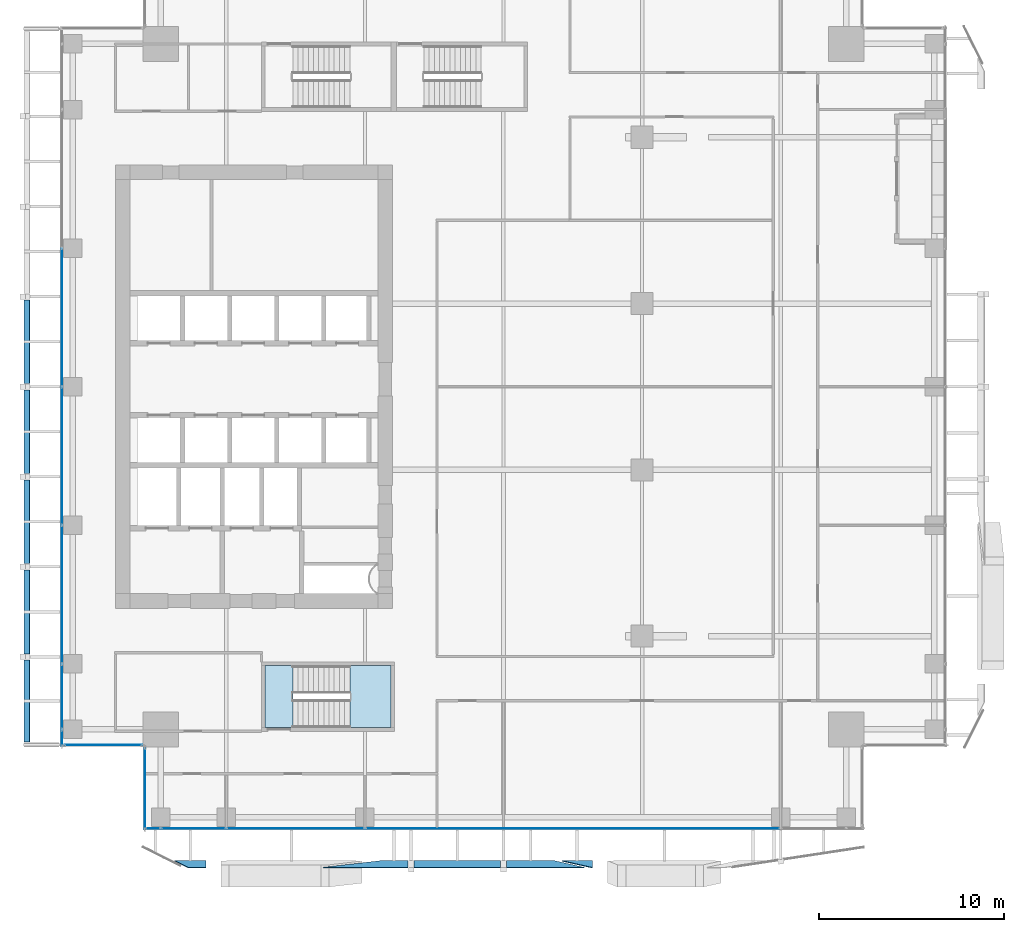
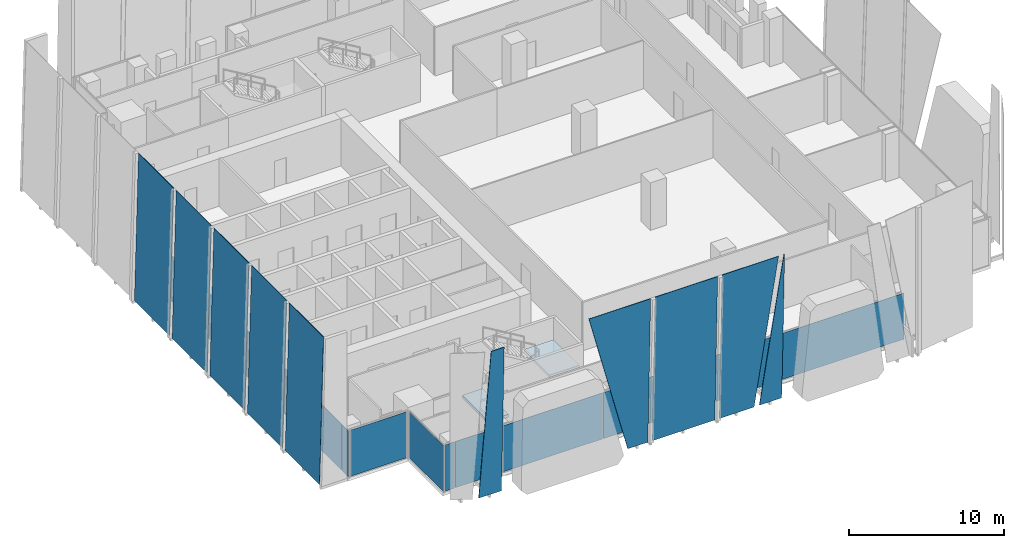
# One storey, part 23 of 35: 21 plates, 2 slabs, 5 elements without a shape of their own.
"""IFC4 building model written with IfcOpenShell, lengths in metres."""

from ifc_helpers import new_model, si_unit, direction, frame, origin, origin_2d, place, context, subcontext, project, spatial, polyline, rectangle, outline, extrude, source, transform, mapped, material, layer, layer_set, type_object, element, aggregate, save


model = new_model("IFC4")

# Units and contexts
model_context = context("Model", 3, precision=1e-05, world=origin(), true_north=direction((0.0, 1.0)))
body_context = subcontext(model_context, "Body", "Model", "MODEL_VIEW")
ifc_project = project(units=[si_unit("LENGTHUNIT", "METRE"), si_unit("AREAUNIT", "SQUARE_METRE"), si_unit("VOLUMEUNIT", "CUBIC_METRE"), si_unit("PLANEANGLEUNIT", "RADIAN"), si_unit("MASSUNIT", "GRAM", prefix="KILO")], contexts=[model_context])

# Site, building, storey
site_placement = place(None, origin())
site = spatial("IfcSite", under=ifc_project, at=site_placement, CompositionType="ELEMENT")
building_placement = place(site_placement, origin())
building = spatial("IfcBuilding", under=site, at=building_placement, Name="Khomas Fold Tower", CompositionType="ELEMENT")
storey_placement = place(building_placement, frame((0.0, 0.0, 188.699951171875)))
storey = spatial("IfcBuildingStorey", under=building, at=storey_placement, Name="L41", CompositionType="ELEMENT", Elevation=188.699951171875)

# Plates
ifc_material_1 = material(Name="Clear laminated glass", Category="glass")
ifc_layer_1 = layer(ifc_material_1, 0.0400390625)
ifc_layer_set_1 = layer_set([ifc_layer_1], Name="Clear laminated glass")
plate_type_1 = type_object("IfcPlateType", Name="SK-Clear laminated glass leaf", PredefinedType="SHEET", material=ifc_layer_set_1)
plate_1_placement = place(storey_placement, frame((10.89990234375, 1.3486328125, 0.0), z_axis=(0.0, 0.999510363794, 0.031289497744), x_axis=(-1.0, 0.0, 0.0)))
element("IfcPlate", 1, at=plate_1_placement, inside=storey, type_object=plate_type_1, Name="OUTER SKIN glass L41 SG099-1", PredefinedType="SHEET", context=body_context, shape_type="SweptSolid", body=[
    extrude(outline(polyline([(0.0, 0.0), (1.697021484375, 0.0), (0.973876953125, 11.555706920623287), (0.0, 11.555706920623287), (0.0, 0.0)])), origin(), (0.0, 0.0, -1.0), 0.0400390625),
])
plate_2_placement = place(storey_placement, frame((31.79931640625, 1.3486328125, 0.0), z_axis=(-7.0175601e-05, 0.999510355487, 0.031289684386), x_axis=(-0.999999997538, -7.014124e-05, -2.195772e-06)))
element("IfcPlate", 2, at=plate_2_placement, inside=storey, type_object=plate_type_1, Name="OUTER SKIN glass L41 SG103-3", PredefinedType="SHEET", context=body_context, shape_type="SweptSolid", body=[
    extrude(outline(polyline([(0.0, 0.0), (1.6364746053454966, 6.930739557428681e-22), (0.017089843556429934, 11.555706920623086), (-0.030761718825744813, 11.555706920623086), (-0.030761727120402652, 0.38617164806034204), (0.0, 0.0)])), origin(), (0.0, 0.0, -1.0), 0.0400390625),
])
plate_3_placement = place(storey_placement, frame((20.3349609375, 1.3486328125, 0.0), z_axis=(0.0, 0.999510363794, 0.031289497744), x_axis=(-0.260082311869, -0.030212715027, 0.965113663204)))
element("IfcPlate", 3, at=plate_3_placement, inside=storey, type_object=plate_type_1, Name="OUTER SKIN glass L41 SG101-4", PredefinedType="SHEET", context=body_context, shape_type="SweptSolid", body=[
    extrude(outline(polyline([(0.0, 0.0), (11.967552909546848, -8.881784197001252e-16), (10.769180479884614, 4.449099867542984), (-0.3888535346395123, 1.443664896351043), (0.0, 0.0)])), origin(), (0.0, 0.0, -1.0), 0.0400390625),
])
plate_4_placement = place(storey_placement, frame((22.169921875, 1.3486328125, 0.0), z_axis=(0.0, 0.999510363794, 0.031289497744), x_axis=(0.0, -0.031289497744, 0.999510363794)))
element("IfcPlate", 4, at=plate_4_placement, inside=storey, type_object=plate_type_1, Name="OUTER SKIN glass L41 SG102-6", PredefinedType="SHEET", context=body_context, shape_type="SweptSolid", body=[
    extrude(outline(polyline([(0.0, 0.0), (11.555706920623285, 0.0), (11.555706920623285, 4.66015625), (0.0, 4.66015625), (0.0, 0.0)])), origin(), (0.0, 0.0, -1.0), 0.0400390625),
])
plate_5_placement = place(storey_placement, frame((29.759033203125, 1.3486328125, 0.0), z_axis=(0.0, 0.999510363794, 0.031289497744), x_axis=(-1.0, 0.0, 0.0)))
element("IfcPlate", 5, at=plate_5_placement, inside=storey, type_object=plate_type_1, Name="OUTER SKIN glass L41 SG103-8", PredefinedType="SHEET", context=body_context, shape_type="SweptSolid", body=[
    extrude(outline(polyline([(0.0, 0.0), (2.589111328125, 0.0), (2.589111328125, 11.555706920623285), (-1.619384765625, 11.555706920623285), (0.0, 0.0)])), origin(), (0.0, 0.0, -1.0), 0.0400390625),
])
plate_6_placement = place(storey_placement, frame((1.04345703125, 7.77001953125, 0.0009765625), z_axis=(-0.999657230839, 0.0, 0.026180543005), x_axis=(0.0, 1.0, 0.0)))
element("IfcPlate", 6, at=plate_6_placement, inside=storey, type_object=plate_type_1, Name="OUTER SKIN glass L41 W1", PredefinedType="SHEET", context=body_context, shape_type="SweptSolid", body=[
    extrude(outline(polyline([(0.0, 0.0), (4.43505859375, 0.0), (4.43505859375, -11.554009186164079), (0.0, -11.554009186164079), (0.0, 0.0)])), origin(), (0.0, 0.0, -1.0), 0.0400390625),
])
for number, where, z_axis, x_axis, name in (
    (7, (1.04345703125, 12.544921875, 0.0009765625), (-0.999657230839, 0.0, 0.026180543005), (0.0, 1.0, 0.0), "OUTER SKIN glass L41 W3"),
    (8, (1.04345703125, 17.419921875, 0.0009765625), (-0.999657230839, 0.0, 0.026180543005), (0.0, 1.0, 0.0), "OUTER SKIN glass L41 W5"),
    (9, (1.04345703125, 22.294921875, 0.0009765625), (-0.999657230839, 0.0, 0.026180543005), (0.0, 1.0, 0.0), "OUTER SKIN glass L41 W7"),
    (10, (1.04345703125, 27.169921875, 0.0009765625), (-0.999657230839, 0.0, 0.026180543005), (0.0, 1.0, 0.0), "OUTER SKIN glass L41 W9"),
):
    element("IfcPlate", number, at=place(storey_placement, frame(where, z_axis=z_axis, x_axis=x_axis)), inside=storey, type_object=plate_type_1, Name=name, PredefinedType="SHEET", context=body_context, shape_type="SweptSolid", body=[
        extrude(outline(polyline([(0.0, 0.0), (4.53515625, 0.0), (4.53515625, -11.554009186164079), (0.0, -11.554009186164079), (0.0, 0.0)])), origin(), (0.0, 0.0, -1.0), 0.0400390625),
    ])

# Curtain wall, plate
ifc_material_2 = material(Name="Aluminium framed double glazing", Category="aluminium")
curtain_wall_type = type_object("IfcCurtainWallType", Name="SK-Unitised clear-glass wall, office floors CW2", PredefinedType="NOTDEFINED", material=ifc_material_2)
curtain_wall_1_placement = place(storey_placement, origin())
curtain_wall_1 = element("IfcCurtainWall", 11, at=curtain_wall_1_placement, inside=storey, type_object=curtain_wall_type, Name="CW2 corner return L41 11", PredefinedType="NOTDEFINED")
ifc_material_3 = material(Name="Clear double glazed unit")
ifc_layer_2 = layer(ifc_material_3, 0.030029296875)
ifc_layer_set_2 = layer_set([ifc_layer_2], Name="Clear double glazed unit")
plate_type_2 = type_object("IfcPlateType", Name="SK-Unitised clear-glass wall, office floors glass panel CW2-P", PredefinedType="CURTAIN_PANEL", material=ifc_layer_set_2)
shared_shape_1 = source(origin(), body_context, "Body", "SweptSolid", [
    extrude(rectangle(XDim=4.3798828125, YDim=0.030029296875, at=origin_2d()), origin(), (0.0, 0.0, 1.0), 3.639892578125),
])
plate_7_placement = place(storey_placement, frame((7.60009765625, 5.25, 0.0), z_axis=(0.0, 0.0, 1.0), x_axis=(0.0, -1.0, 0.0)))
plate_7 = element("IfcPlate", 12, at=plate_7_placement, type_object=plate_type_2, Name="CW2 glass panel 1", PredefinedType="CURTAIN_PANEL", context=body_context, shape_type="MappedRepresentation", body=[
    mapped(shared_shape_1, transform((0.0, 0.0, 0.0))),
])
aggregate(curtain_wall_1, [plate_7])

# Curtain wall, plates
curtain_wall_2_placement = place(storey_placement, origin())
curtain_wall_2 = element("IfcCurtainWall", 13, at=curtain_wall_2_placement, inside=storey, type_object=curtain_wall_type, Name="CW2 run L41 00-0", PredefinedType="NOTDEFINED")
shared_shape_2 = source(origin(), body_context, "Body", "SweptSolid", [
    extrude(rectangle(XDim=0.659912109375, YDim=0.030029296875, at=origin_2d()), origin(), (0.0, 0.0, 1.0), 3.639892578125),
])
plate_8_placement = place(storey_placement, frame((8.090087890625, 3.10009765625, 0.0), z_axis=(0.0, 0.0, 1.0), x_axis=(1.0, 0.0, 0.0)))
plate_8 = element("IfcPlate", 14, at=plate_8_placement, type_object=plate_type_2, Name="CW2 glass panel 1", PredefinedType="CURTAIN_PANEL", context=body_context, shape_type="MappedRepresentation", body=[
    mapped(shared_shape_2, transform((0.0, 0.0, 0.0))),
])
shared_shape_3 = source(origin(), body_context, "Body", "SweptSolid", [
    extrude(rectangle(XDim=3.489990234375, YDim=0.030029296875, at=origin_2d()), origin(), (0.0, 0.0, 1.0), 3.639892578125),
])
plate_9_placement = place(storey_placement, frame((10.22509765625, 3.10009765625, 0.0), z_axis=(0.0, 0.0, 1.0), x_axis=(1.0, 0.0, 0.0)))
plate_9 = element("IfcPlate", 15, at=plate_9_placement, type_object=plate_type_2, Name="CW2 glass panel 2", PredefinedType="CURTAIN_PANEL", context=body_context, shape_type="MappedRepresentation", body=[
    mapped(shared_shape_3, transform((0.0, 0.0, 0.0))),
])

# Curtain wall, plate
curtain_wall_3_placement = place(storey_placement, origin())
curtain_wall_3 = element("IfcCurtainWall", 16, at=curtain_wall_3_placement, inside=storey, type_object=curtain_wall_type, Name="CW2 run L41 09-0", PredefinedType="NOTDEFINED")
plate_10_placement = place(storey_placement, frame((3.10009765625, 10.22509765625, 0.0), z_axis=(0.0, 0.0, 1.0), x_axis=(0.0, -1.0, 0.0)))
plate_10 = element("IfcPlate", 17, at=plate_10_placement, type_object=plate_type_2, Name="CW2 glass panel 7", PredefinedType="CURTAIN_PANEL", context=body_context, shape_type="MappedRepresentation", body=[
    mapped(shared_shape_3, transform((0.0, 0.0, 0.0))),
])

# Plate
shared_shape_4 = source(origin(), body_context, "Body", "SweptSolid", [
    extrude(rectangle(XDim=7.43994140625, YDim=0.030029296875, at=origin_2d()), origin(), (0.0, 0.0, 1.0), 3.639892578125),
])
plate_11_placement = place(storey_placement, frame((15.75, 3.10009765625, 0.0), z_axis=(0.0, 0.0, 1.0), x_axis=(1.0, 0.0, 0.0)))
plate_11 = element("IfcPlate", 18, at=plate_11_placement, type_object=plate_type_2, Name="CW2 glass panel 3", PredefinedType="CURTAIN_PANEL", context=body_context, shape_type="MappedRepresentation", body=[
    mapped(shared_shape_4, transform((0.0, 0.0, 0.0))),
])

plate_12_placement = place(storey_placement, frame((3.10009765625, 30.75, 0.0), z_axis=(0.0, 0.0, 1.0), x_axis=(0.0, -1.0, 0.0)))
plate_12 = element("IfcPlate", 19, at=plate_12_placement, type_object=plate_type_2, Name="CW2 glass panel 4", PredefinedType="CURTAIN_PANEL", context=body_context, shape_type="MappedRepresentation", body=[
    mapped(shared_shape_4, transform((0.0, 0.0, 0.0))),
])

plate_13_placement = place(storey_placement, frame((3.10009765625, 23.25, 0.0), z_axis=(0.0, 0.0, 1.0), x_axis=(0.0, -1.0, 0.0)))
plate_13 = element("IfcPlate", 20, at=plate_13_placement, type_object=plate_type_2, Name="CW2 glass panel 5", PredefinedType="CURTAIN_PANEL", context=body_context, shape_type="MappedRepresentation", body=[
    mapped(shared_shape_4, transform((0.0, 0.0, 0.0))),
])

plate_14_placement = place(storey_placement, frame((3.10009765625, 15.75, 0.0), z_axis=(0.0, 0.0, 1.0), x_axis=(0.0, -1.0, 0.0)))
plate_14 = element("IfcPlate", 21, at=plate_14_placement, type_object=plate_type_2, Name="CW2 glass panel 6", PredefinedType="CURTAIN_PANEL", context=body_context, shape_type="MappedRepresentation", body=[
    mapped(shared_shape_4, transform((0.0, 0.0, 0.0))),
])

# Curtain wall, plate
curtain_wall_4_placement = place(storey_placement, origin())
curtain_wall_4 = element("IfcCurtainWall", 22, at=curtain_wall_4_placement, inside=storey, type_object=curtain_wall_type, Name="CW2 corner return L41 10", PredefinedType="NOTDEFINED")
shared_shape_5 = source(origin(), body_context, "Body", "SweptSolid", [
    extrude(rectangle(XDim=4.179931640625, YDim=0.030029296875, at=origin_2d()), origin(), (0.0, 0.0, 1.0), 3.639892578125),
])
plate_15_placement = place(storey_placement, frame((5.35009765625, 7.60009765625, 0.0), z_axis=(0.0, 0.0, 1.0), x_axis=(1.0, 0.0, 0.0)))
plate_15 = element("IfcPlate", 23, at=plate_15_placement, type_object=plate_type_2, Name="CW2 glass panel 1", PredefinedType="CURTAIN_PANEL", context=body_context, shape_type="MappedRepresentation", body=[
    mapped(shared_shape_5, transform((0.0, 0.0, 0.0))),
])
aggregate(curtain_wall_4, [plate_15])

# Plate
shared_shape_6 = source(origin(), body_context, "Body", "SweptSolid", [
    extrude(rectangle(XDim=0.860107421875, YDim=0.030029296875, at=origin_2d()), origin(), (0.0, 0.0, 1.0), 3.639892578125),
])
plate_16_placement = place(storey_placement, frame((3.10009765625, 7.989990234375, 0.0), z_axis=(0.0, 0.0, 1.0), x_axis=(0.0, -1.0, 0.0)))
plate_16 = element("IfcPlate", 24, at=plate_16_placement, type_object=plate_type_2, Name="CW2 glass panel 8", PredefinedType="CURTAIN_PANEL", context=body_context, shape_type="MappedRepresentation", body=[
    mapped(shared_shape_6, transform((0.0, 0.0, 0.0))),
])

aggregate(curtain_wall_3, [plate_12, plate_13, plate_14, plate_10, plate_16])

shared_shape_7 = source(origin(), body_context, "Body", "SweptSolid", [
    extrude(rectangle(XDim=22.43994140625, YDim=0.030029296875, at=origin_2d()), origin(), (0.0, 0.0, 1.0), 3.639892578125),
])
plate_17_placement = place(storey_placement, frame((30.75, 3.10009765625, 0.0), z_axis=(0.0, 0.0, 1.0), x_axis=(1.0, 0.0, 0.0)))
plate_17 = element("IfcPlate", 25, at=plate_17_placement, type_object=plate_type_2, Name="CW2 glass panel 4", PredefinedType="CURTAIN_PANEL", context=body_context, shape_type="MappedRepresentation", body=[
    mapped(shared_shape_7, transform((0.0, 0.0, 0.0))),
])

aggregate(curtain_wall_2, [plate_8, plate_9, plate_11, plate_17])

# Stair, slab
ifc_material_4 = material(Name="Concrete C40/50", Category="concrete")
stair_type = type_object("IfcStairType", Name="Stair ST2", PredefinedType="HALF_TURN_STAIR", material=ifc_material_4)
stair_placement = place(storey_placement, origin())
stair = element("IfcStair", 26, at=stair_placement, inside=storey, type_object=stair_type, Name="L41 ST2", PredefinedType="HALF_TURN_STAIR")
ifc_material_5 = material(Name="Concrete C40/50", Category="concrete")
ifc_layer_3 = layer(ifc_material_5, 0.199951171875)
ifc_layer_set_3 = layer_set([ifc_layer_3], Name="Concrete C40/50")
slab_type_1 = type_object("IfcSlabType", Name="Stair landing 200", PredefinedType="LANDING", material=ifc_layer_set_3)
shared_shape_8 = source(origin(), body_context, "Body", "SweptSolid", [
    extrude(outline(polyline([(18.679931640625, 8.550048828125), (20.89990234375, 8.550048828125), (20.89990234375, 11.89990234375), (18.679931640625, 11.89990234375), (18.679931640625, 8.550048828125)])), origin(), (0.0, 0.0, 1.0), 0.199951171875),
])
slab_1_placement = place(storey_placement, frame((0.0, 0.0, 1.800048828125)))
slab_1 = element("IfcSlab", 27, at=slab_1_placement, type_object=slab_type_1, Name="ST2 landing 1", PredefinedType="LANDING", context=body_context, shape_type="MappedRepresentation", body=[
    mapped(shared_shape_8, transform((0.0, 0.0, 0.0))),
])
aggregate(stair, [slab_1])

# Slab
ifc_material_6 = material(Name="Concrete C40/50", Category="concrete")
ifc_layer_4 = layer(ifc_material_6, 0.25)
ifc_layer_set_4 = layer_set([ifc_layer_4], Name="Concrete C40/50")
slab_type_2 = type_object("IfcSlabType", Name="Stair floor landing 250", PredefinedType="LANDING", material=ifc_layer_set_4)
shared_shape_9 = source(origin(), body_context, "Body", "SweptSolid", [
    extrude(outline(polyline([(15.60009765625, 8.550048828125), (14.10009765625, 8.550048828125), (14.10009765625, 11.89990234375), (15.60009765625, 11.89990234375), (15.60009765625, 8.550048828125)])), origin(), (0.0, 0.0, 1.0), 0.25),
])
slab_2_placement = place(storey_placement, frame((0.0, 0.0, -0.25)))
element("IfcSlab", 28, at=slab_2_placement, inside=storey, type_object=slab_type_2, Name="ST2 floor landing", PredefinedType="LANDING", context=body_context, shape_type="MappedRepresentation", body=[
    mapped(shared_shape_9, transform((0.0, 0.0, 0.0))),
])

save(model, "model.ifc")
